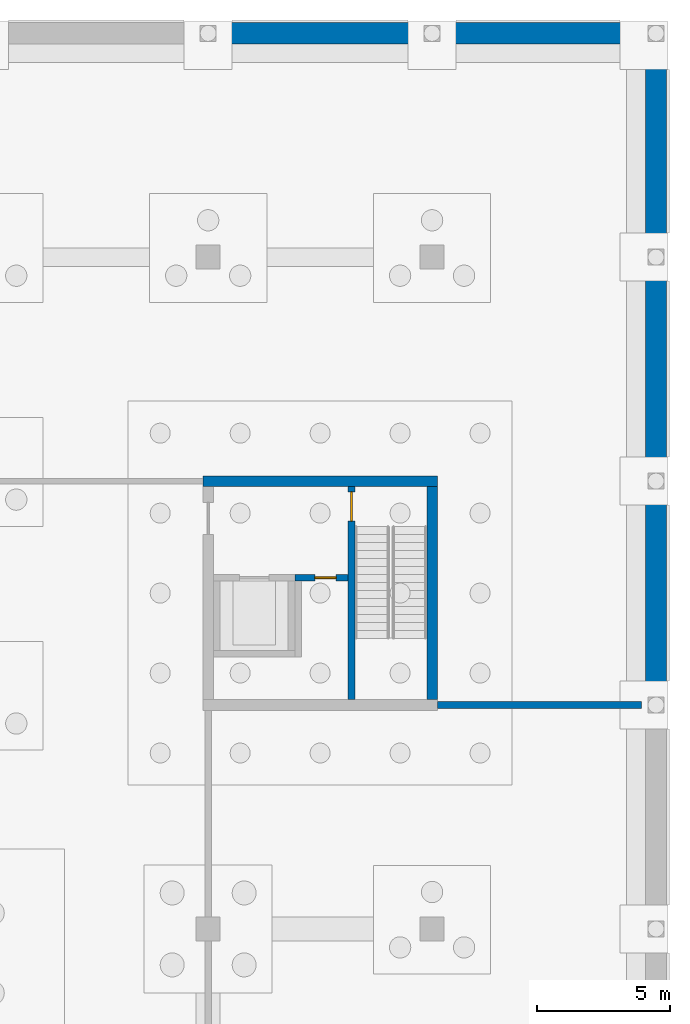
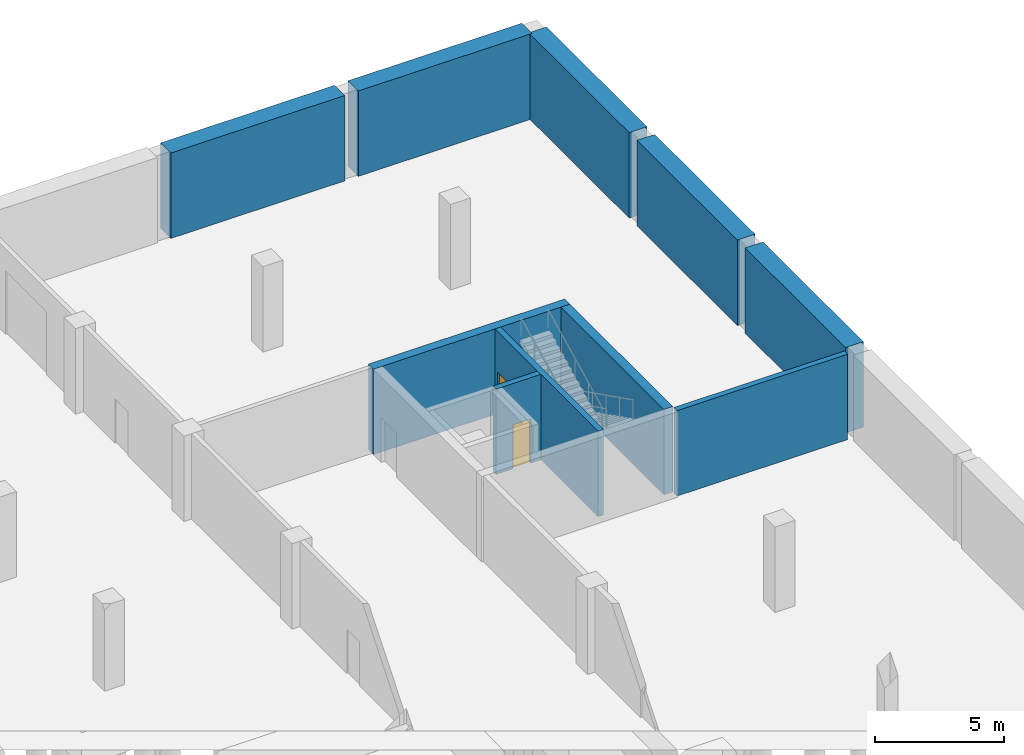
# One storey, part 18 of 23: 10 walls, 2 doors, 2 openings.
"""IFC4 building model written with IfcOpenShell, lengths in metres."""

from ifc_helpers import new_model, si_unit, direction, frame, frame_2d, origin, place, context, subcontext, project, spatial, rectangle, extrude, material, layer, layer_set, type_object, element, fill, save


model = new_model("IFC4")

# Units and contexts
model_context = context("Model", 3, precision=1e-05, world=origin(), true_north=direction((0.0, 1.0)))
body_context = subcontext(model_context, "Body", "Model", "MODEL_VIEW")
ifc_project = project(units=[si_unit("LENGTHUNIT", "METRE"), si_unit("AREAUNIT", "SQUARE_METRE"), si_unit("VOLUMEUNIT", "CUBIC_METRE"), si_unit("PLANEANGLEUNIT", "RADIAN"), si_unit("MASSUNIT", "GRAM", prefix="KILO")], contexts=[model_context])

# Site, building, storey
site_placement = place(None, origin())
site = spatial("IfcSite", under=ifc_project, at=site_placement, CompositionType="ELEMENT")
building_placement = place(site_placement, origin())
building = spatial("IfcBuilding", under=site, at=building_placement, Name="Hlaing Beacon Police Headquarters", CompositionType="ELEMENT")
storey_placement = place(building_placement, frame((0.0, 0.0, -4.5)))
storey = spatial("IfcBuildingStorey", under=building, at=storey_placement, Name="B1", CompositionType="ELEMENT", Elevation=-4.5)

# Walls
ifc_material_1 = material(Name="Concrete C60/75", Category="concrete")
ifc_layer_1 = layer(ifc_material_1, 0.39990234375)
ifc_layer_set_1 = layer_set([ifc_layer_1], Name="Concrete C60/75")
wall_type_1 = type_object("IfcWallType", Name="Core shear wall 400", PredefinedType="SHEAR", material=ifc_layer_set_1)
wall_1_placement = place(storey_placement, frame((125.800048828125, 84.0, 0.0), z_axis=(0.0, 0.0, 1.0), x_axis=(1.0, 0.0, 0.0)))
element("IfcWall", 1, at=wall_1_placement, inside=storey, type_object=wall_type_1, Name="Core shear wall", PredefinedType="SHEAR", context=body_context, shape_type="SweptSolid", body=[
    extrude(rectangle(XDim=8.800048828125, YDim=0.39990234375, at=frame_2d((4.39990234375, 0.0))), origin(), (0.0, 0.0, 1.0), 4.050048828125),
])
wall_2_placement = place(storey_placement, frame((134.39990234375, 75.800048828125, 0.0), z_axis=(0.0, 0.0, 1.0), x_axis=(0.0, 1.0, 0.0)))
element("IfcWall", 2, at=wall_2_placement, inside=storey, type_object=wall_type_1, Name="Core shear wall", PredefinedType="SHEAR", context=body_context, shape_type="SweptSolid", body=[
    extrude(rectangle(XDim=8.0, YDim=0.39990234375, at=frame_2d((4.0, 0.0))), origin(), (0.0, 0.0, 1.0), 4.050048828125),
])
ifc_material_2 = material(Name="Concrete blockwork 7.5 N/mm2", Category="masonry")
ifc_layer_2 = layer(ifc_material_2, 0.25)
ifc_layer_set_2 = layer_set([ifc_layer_2], Name="Concrete blockwork 7.5 N/mm2")
wall_type_2 = type_object("IfcWallType", Name="Plant room wall EI 120 250", PredefinedType="PARTITIONING", material=ifc_layer_set_2)
wall_3_placement = place(storey_placement, frame((134.60009765625, 75.60009765625, 0.0), z_axis=(0.0, 0.0, 1.0), x_axis=(1.0, 0.0, 0.0)))
element("IfcWall", 3, at=wall_3_placement, inside=storey, type_object=wall_type_2, Name="Plant room wall EI 120 250", PredefinedType="PARTITIONING", context=body_context, shape_type="SweptSolid", body=[
    extrude(rectangle(XDim=7.64990234375, YDim=0.25, at=frame_2d((3.824951171875, 0.0))), origin(), (0.0, 0.0, 1.0), 4.050048828125),
])
ifc_material_3 = material(Name="Concrete C50/60", Category="concrete")
ifc_layer_3 = layer(ifc_material_3, 0.800048828125)
ifc_layer_set_3 = layer_set([ifc_layer_3], Name="Concrete C50/60")
wall_type_3 = type_object("IfcWallType", Name="Retaining wall 800", PredefinedType="SOLIDWALL", material=ifc_layer_set_3)
for number, where, z_axis, x_axis, name in (
    (4, (126.300048828125, 100.800048828125, 0.0), (0.0, 0.0, 1.0), (1.0, 0.0, 0.0), "STR-RW-B1-N16"),
    (5, (134.699951171875, 100.800048828125, 0.0), (0.0, 0.0, 1.0), (1.0, 0.0, 0.0), "STR-RW-B1-N17"),
    (6, (142.800048828125, 75.89990234375, 0.0), (0.0, 0.0, 1.0), (0.0, 1.0, 0.0), "STR-RW-B1-E10"),
    (7, (142.800048828125, 84.300048828125, 0.0), (0.0, 0.0, 1.0), (0.0, 1.0, 0.0), "STR-RW-B1-E11"),
    (8, (142.800048828125, 92.699951171875, 0.0), (0.0, 0.0, 1.0), (0.0, 1.0, 0.0), "STR-RW-B1-E12"),
):
    element("IfcWall", number, at=place(storey_placement, frame(where, z_axis=z_axis, x_axis=x_axis)), inside=storey, type_object=wall_type_3, Name=name, PredefinedType="SOLIDWALL", context=body_context, shape_type="SweptSolid", body=[
        extrude(rectangle(XDim=7.800048828125, YDim=0.800048828125, at=frame_2d((3.89990234375, 0.0))), origin(), (0.0, 0.0, 1.0), 4.050048828125),
    ])

# Wall, opening, door
ifc_material_4 = material(Name="Concrete C40/50", Category="concrete")
ifc_layer_4 = layer(ifc_material_4, 0.25)
ifc_layer_set_4 = layer_set([ifc_layer_4], Name="Concrete C40/50")
wall_type_4 = type_object("IfcWallType", Name="Shaft wall 250", PredefinedType="SOLIDWALL", material=ifc_layer_set_4)
wall_4_placement = place(storey_placement, frame((131.375, 83.800048828125, 0.0), z_axis=(0.0, 0.0, 1.0), x_axis=(0.0, -1.0, 0.0)))
wall_4 = element("IfcWall", 9, at=wall_4_placement, inside=storey, type_object=wall_type_4, Name="Stair enclosure wall", PredefinedType="SOLIDWALL", context=body_context, shape_type="SweptSolid", body=[
    extrude(rectangle(XDim=8.0, YDim=0.25, at=frame_2d((4.0, 0.0))), origin(), (0.0, 0.0, 1.0), 4.050048828125),
])
opening_1_placement = place(wall_4_placement, frame((0.199951171875, 0.0, 0.0)))
opening_1 = element("IfcOpeningElement", 10, at=opening_1_placement, cuts=wall_4, Name="Opening B1-971", PredefinedType="OPENING", context=body_context, shape_type="SweptSolid", body=[
    extrude(rectangle(XDim=1.10009765625, YDim=2.10009765625, at=frame_2d((0.550048828125, 1.050048828125))), frame((0.0, 0.135009765625, 0.0), z_axis=(0.0, -1.0, 0.0), x_axis=(1.0, 0.0, 0.0)), (0.0, 0.0, 1.0), 0.27001953125),
])
ifc_material_5 = material(Name="Steel fire door leaf", Category="steel")
ifc_layer_5 = layer(ifc_material_5, 0.070068359375)
ifc_layer_set_5 = layer_set([ifc_layer_5], Name="Steel fire door leaf")
door_type_1 = type_object("IfcDoorType", Name="Steel fire door FD60 1100x2100", OperationType="SINGLE_SWING_LEFT", PredefinedType="DOOR", material=ifc_layer_set_5)
door_1_placement = place(opening_1_placement, origin())
door_1 = element("IfcDoor", 11, at=door_1_placement, inside=storey, type_object=door_type_1, Name="Door Stair ST-R", OperationType="SINGLE_SWING_RIGHT", OverallHeight=2.10009765625, OverallWidth=1.10009765625, PredefinedType="DOOR", context=body_context, shape_type="SweptSolid", body=[
    extrude(rectangle(XDim=1.10009765625, YDim=2.10009765625, at=frame_2d((0.550048828125, 1.050048828125))), frame((0.0, 0.03515625, 0.0), z_axis=(0.0, -1.0, 0.0), x_axis=(1.0, 0.0, 0.0)), (0.0, 0.0, 1.0), 0.070068359375),
])
fill(opening_1, door_1)

wall_5_placement = place(storey_placement, frame((131.25, 80.375, 0.0), z_axis=(0.0, 0.0, 1.0), x_axis=(-1.0, 0.0, 0.0)))
wall_5 = element("IfcWall", 12, at=wall_5_placement, inside=storey, type_object=wall_type_4, Name="Firefighting lobby wall", PredefinedType="SOLIDWALL", context=body_context, shape_type="SweptSolid", body=[
    extrude(rectangle(XDim=2.0, YDim=0.25, at=frame_2d((1.0, 0.0))), origin(), (0.0, 0.0, 1.0), 4.050048828125),
])
opening_2_placement = place(wall_5_placement, frame((0.449951171875, 0.0, 0.0)))
opening_2 = element("IfcOpeningElement", 13, at=opening_2_placement, cuts=wall_5, Name="Opening B1-970", PredefinedType="OPENING", context=body_context, shape_type="SweptSolid", body=[
    extrude(rectangle(XDim=0.800048828125, YDim=2.10009765625, at=frame_2d((0.39990234375, 1.050048828125))), frame((0.0, 0.135009765625, 0.0), z_axis=(0.0, -1.0, 0.0), x_axis=(1.0, 0.0, 0.0)), (0.0, 0.0, 1.0), 0.27001953125),
])
ifc_material_6 = material(Name="Steel fire door leaf", Category="steel")
ifc_layer_6 = layer(ifc_material_6, 0.070068359375)
ifc_layer_set_6 = layer_set([ifc_layer_6], Name="Steel fire door leaf")
door_type_2 = type_object("IfcDoorType", Name="Steel fire door FD60 800x2100", OperationType="SINGLE_SWING_LEFT", PredefinedType="DOOR", material=ifc_layer_set_6)
door_2_placement = place(opening_2_placement, origin())
door_2 = element("IfcDoor", 14, at=door_2_placement, inside=storey, type_object=door_type_2, Name="Door Services Riser", OperationType="SINGLE_SWING_RIGHT", OverallHeight=2.10009765625, OverallWidth=0.800048828125, PredefinedType="DOOR", context=body_context, shape_type="SweptSolid", body=[
    extrude(rectangle(XDim=0.800048828125, YDim=2.10009765625, at=frame_2d((0.39990234375, 1.050048828125))), frame((0.0, 0.03515625, 0.0), z_axis=(0.0, -1.0, 0.0), x_axis=(1.0, 0.0, 0.0)), (0.0, 0.0, 1.0), 0.070068359375),
])
fill(opening_2, door_2)

save(model, "model.ifc")
